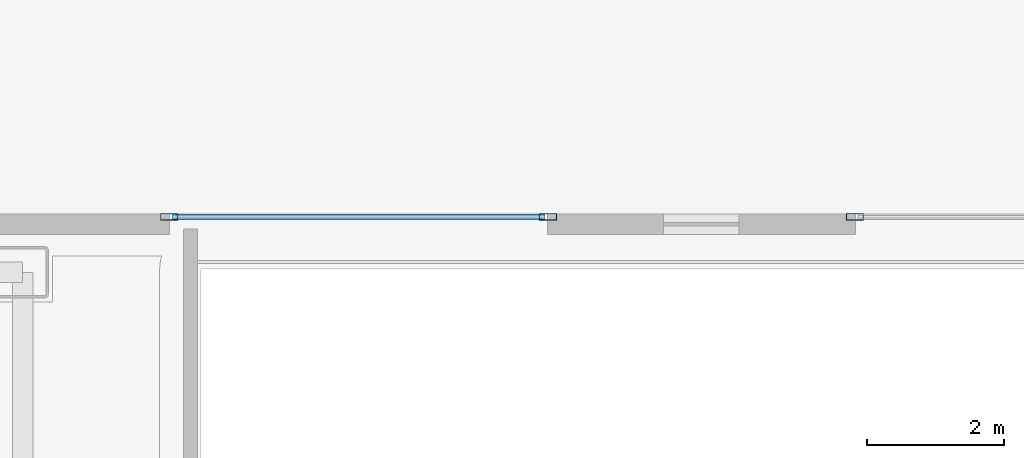
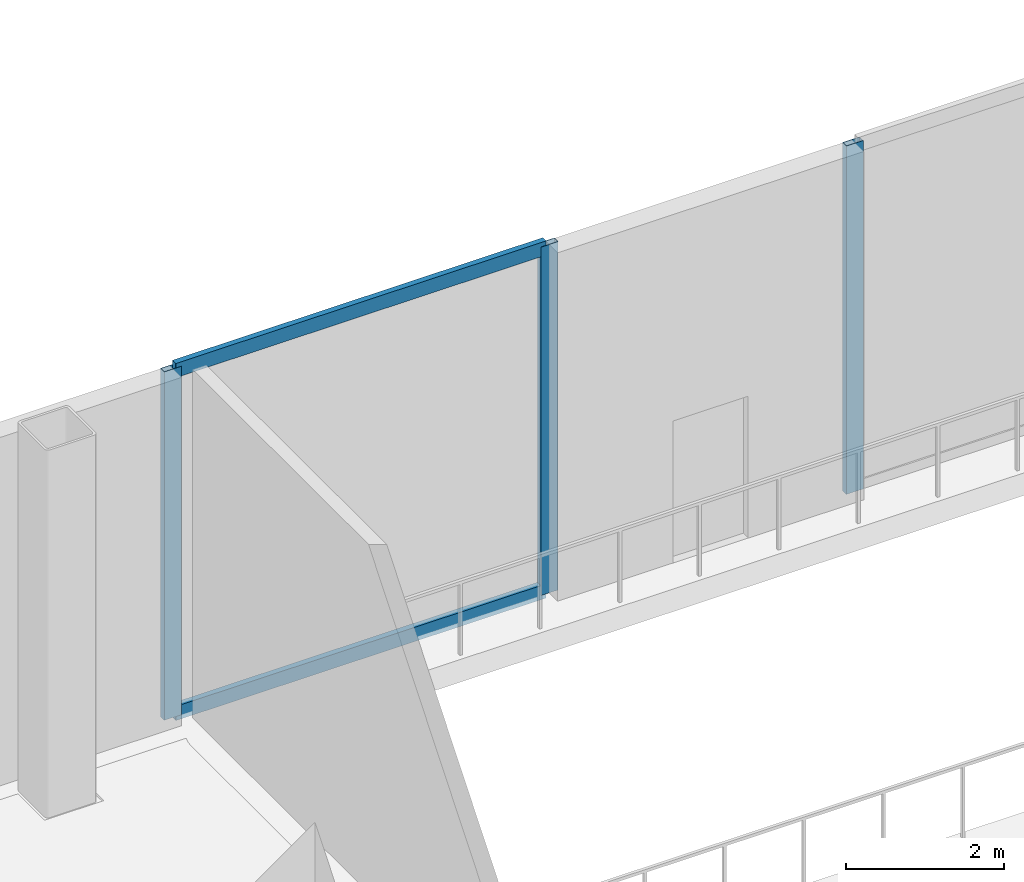
# One storey, part 12 of 27: 5 members, 2 elements without a shape of their own.
"""IFC4 building model written with IfcOpenShell, lengths in metres."""

from ifc_helpers import new_model, si_unit, direction, frame, origin, origin_2d, place, context, subcontext, project, spatial, hollow_rectangle, extrude, material, layer, layer_set, material_profile, profile_set, type_object, element, aggregate, save


model = new_model("IFC4")

# Units and contexts
model_context = context("Model", 3, precision=1e-05, world=origin(), true_north=direction((0.0, 1.0)))
body_context = subcontext(model_context, "Body", "Model", "MODEL_VIEW")
ifc_project = project(units=[si_unit("LENGTHUNIT", "METRE"), si_unit("AREAUNIT", "SQUARE_METRE"), si_unit("VOLUMEUNIT", "CUBIC_METRE"), si_unit("PLANEANGLEUNIT", "RADIAN"), si_unit("MASSUNIT", "GRAM", prefix="KILO"), si_unit("THERMODYNAMICTEMPERATUREUNIT", "KELVIN"), si_unit("POWERUNIT", "WATT")], contexts=[model_context])

# Site, building, storey
site_placement = place(None, origin())
site = spatial("IfcSite", under=ifc_project, at=site_placement, CompositionType="ELEMENT")
building_placement = place(site_placement, origin())
building = spatial("IfcBuilding", under=site, at=building_placement, Name="Svarakhadi Broadcast Tower", CompositionType="ELEMENT")
storey_placement = place(building_placement, origin())
storey = spatial("IfcBuildingStorey", under=building, at=storey_placement, Name="L00", CompositionType="ELEMENT", Elevation=0.0)

# Curtain wall, members
ifc_material = material(Name="Anodised Bronze Aluminium AA 6063-T6", Category="aluminium")
ifc_layer = layer(ifc_material, 0.25)
ifc_layer_set = layer_set([ifc_layer], Name="Anodised Bronze Aluminium AA 6063-T6")
curtain_wall_type = type_object("IfcCurtainWallType", Name="CW_Sys_01", PredefinedType="NOTDEFINED", material=ifc_layer_set)
curtain_wall_1_placement = place(storey_placement, origin())
curtain_wall_1 = element("IfcCurtainWall", 1, at=curtain_wall_1_placement, inside=storey, type_object=curtain_wall_type, Name="L00 Podium Glazed Curtain Wall 04", PredefinedType="NOTDEFINED")
ifc_material_profile_1 = material_profile(ifc_material, hollow_rectangle(XDim=0.094970703125, YDim=0.25, WallThickness=0.006103515625, at=origin_2d()), Name="ALU MULLION 250x95x6")
ifc_profile_set_1 = profile_set([ifc_material_profile_1], Name="Anodised Bronze Aluminium AA 6063-T6")
member_type_1 = type_object("IfcMemberType", Name="CW_Sys_01_Mul", PredefinedType="MULLION", material=ifc_profile_set_1)
member_1_placement = place(storey_placement, frame((20.137451171875, 47.9599609375, 0.0), z_axis=(0.0, 0.0, 1.0), x_axis=(0.0, 1.0, 0.0)))
member_1 = element("IfcMember", 2, at=member_1_placement, type_object=member_type_1, Name="CW-01 mullion 1", PredefinedType="MULLION", context=body_context, shape_type="SweptSolid", body=[
    extrude(hollow_rectangle(XDim=0.094970703125, YDim=0.25, WallThickness=0.006103515625, at=origin_2d()), origin(), (0.0, 0.0, 1.0), 5.39990234375),
])
member_2_placement = place(storey_placement, frame((25.66259765625, 47.9599609375, 0.0), z_axis=(0.0, 0.0, 1.0), x_axis=(0.0, 1.0, 0.0)))
member_2 = element("IfcMember", 3, at=member_2_placement, type_object=member_type_1, Name="CW-01 mullion 2", PredefinedType="MULLION", context=body_context, shape_type="SweptSolid", body=[
    extrude(hollow_rectangle(XDim=0.094970703125, YDim=0.25, WallThickness=0.006103515625, at=origin_2d()), origin(), (0.0, 0.0, 1.0), 5.39990234375),
])

# Curtain wall, member
curtain_wall_2_placement = place(storey_placement, origin())
curtain_wall_2 = element("IfcCurtainWall", 4, at=curtain_wall_2_placement, inside=storey, type_object=curtain_wall_type, Name="L00 Podium Glazed Curtain Wall 05", PredefinedType="NOTDEFINED")
member_3_placement = place(storey_placement, frame((30.137451171875, 47.9599609375, 0.0), z_axis=(0.0, 0.0, 1.0), x_axis=(0.0, 1.0, 0.0)))
member_3 = element("IfcMember", 5, at=member_3_placement, type_object=member_type_1, Name="CW-01 mullion 1", PredefinedType="MULLION", context=body_context, shape_type="SweptSolid", body=[
    extrude(hollow_rectangle(XDim=0.094970703125, YDim=0.25, WallThickness=0.006103515625, at=origin_2d()), origin(), (0.0, 0.0, 1.0), 5.39990234375),
])
aggregate(curtain_wall_2, [member_3])

# Member
ifc_material_profile_2 = material_profile(ifc_material, hollow_rectangle(XDim=0.0849609375, YDim=0.219970703125, WallThickness=0.0048828125, at=origin_2d()), Name="ALU TRANSOM 220x85x5")
ifc_profile_set_2 = profile_set([ifc_material_profile_2], Name="Anodised Bronze Aluminium AA 6063-T6")
member_type_2 = type_object("IfcMemberType", Name="CW_Sys_01_Trn", PredefinedType="USERDEFINED", material=ifc_profile_set_2)
member_4_placement = place(storey_placement, frame((20.18505859375, 47.9599609375, 0.04248046875), z_axis=(1.0, 0.0, 0.0), x_axis=(0.0, 1.0, 0.0)))
member_4 = element("IfcMember", 6, at=member_4_placement, type_object=member_type_2, Name="CW-01 transom 1.1", ObjectType="TRANSOM", PredefinedType="USERDEFINED", context=body_context, shape_type="SweptSolid", body=[
    extrude(hollow_rectangle(XDim=0.0849609375, YDim=0.219970703125, WallThickness=0.0048828125, at=origin_2d()), origin(), (0.0, 0.0, 1.0), 5.429931640625),
])

member_5_placement = place(storey_placement, frame((20.18505859375, 47.9599609375, 5.357421875), z_axis=(1.0, 0.0, 0.0), x_axis=(0.0, 1.0, 0.0)))
member_5 = element("IfcMember", 7, at=member_5_placement, type_object=member_type_2, Name="CW-01 transom 1.2", ObjectType="TRANSOM", PredefinedType="USERDEFINED", context=body_context, shape_type="SweptSolid", body=[
    extrude(hollow_rectangle(XDim=0.0849609375, YDim=0.219970703125, WallThickness=0.0048828125, at=origin_2d()), origin(), (0.0, 0.0, 1.0), 5.429931640625),
])

aggregate(curtain_wall_1, [member_1, member_2, member_4, member_5])

save(model, "model.ifc")
